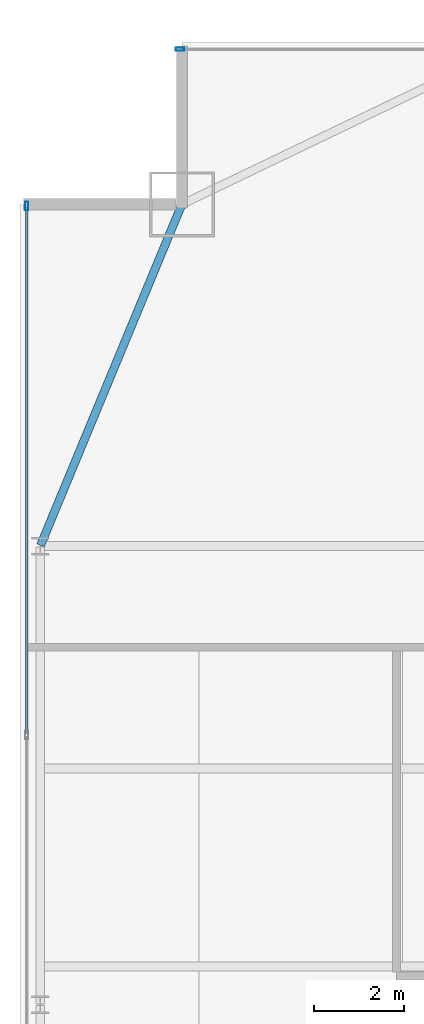
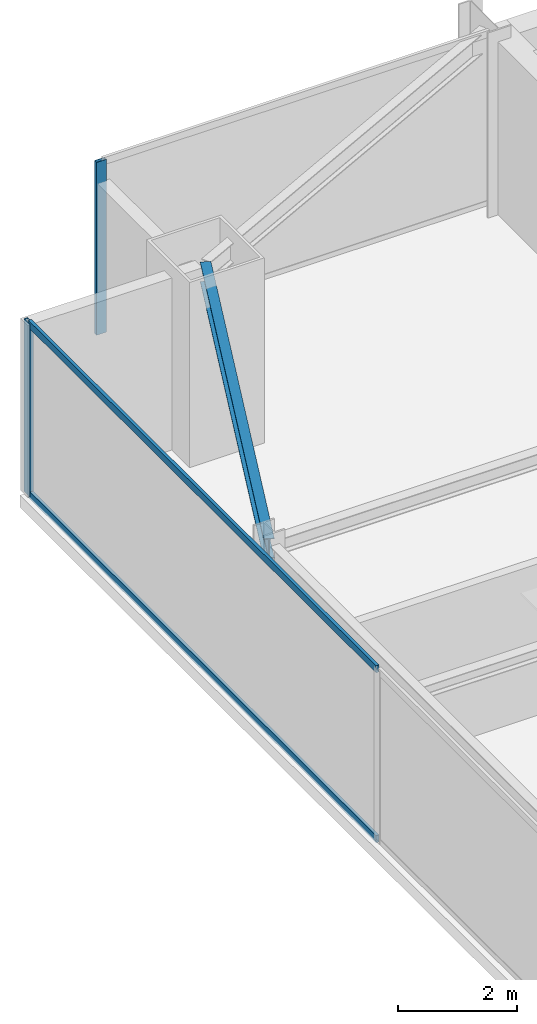
# One storey, part 21 of 30: 4 members, 1 beam, 2 elements without a shape of their own.
"""IFC4 building model written with IfcOpenShell, lengths in metres."""

from ifc_helpers import new_model, si_unit, direction, frame, origin, origin_2d, place, context, subcontext, project, spatial, hollow_rectangle, i_section, extrude, source, transform, mapped, material, layer, layer_set, material_profile, profile_set, type_object, type_shapes, element, aggregate, save


model = new_model("IFC4")

# Units and contexts
model_context = context("Model", 3, precision=1e-05, world=origin(), true_north=direction((0.0, 1.0)))
body_context = subcontext(model_context, "Body", "Model", "MODEL_VIEW")
ifc_project = project(units=[si_unit("LENGTHUNIT", "METRE"), si_unit("AREAUNIT", "SQUARE_METRE"), si_unit("VOLUMEUNIT", "CUBIC_METRE"), si_unit("PLANEANGLEUNIT", "RADIAN"), si_unit("MASSUNIT", "GRAM", prefix="KILO")], contexts=[model_context])

# Site, building, storey
site_placement = place(None, origin())
site = spatial("IfcSite", under=ifc_project, at=site_placement, CompositionType="ELEMENT")
building_placement = place(site_placement, origin())
building = spatial("IfcBuilding", under=site, at=building_placement, Name="Varnel Quay Broadcast Tower", CompositionType="ELEMENT")
storey_placement = place(building_placement, frame((0.0, 0.0, 122.0)))
storey = spatial("IfcBuildingStorey", under=building, at=storey_placement, Name="L29", CompositionType="ELEMENT", Elevation=122.0)

# Beam
ifc_material_1 = material(Name="Structural Steel CSA G40.21 350W", Category="steel")
ifc_material_profile_1 = material_profile(ifc_material_1, i_section(OverallWidth=0.180908203125, OverallDepth=0.4169921875, WebThickness=0.010986328125, FlangeThickness=0.018310546875, FilletRadius=0.011962890625, at=origin_2d()), Name="W410X85")
ifc_profile_set_1 = profile_set([ifc_material_profile_1], Name="Structural Steel CSA G40.21 350W")
beam_type = type_object("IfcBeamType", Name="Beam_W410X85", PredefinedType="SPANDREL", material=ifc_profile_set_1)
shared_shape_1 = source(origin(), body_context, "Body", "SweptSolid", [
    extrude(i_section(OverallWidth=0.180908203125, OverallDepth=0.4169921875, WebThickness=0.010986328125, FlangeThickness=0.018310546875, FilletRadius=0.011962890625, at=origin_2d()), origin(), (0.0, 0.0, 1.0), 8.186767578125),
])
type_shapes(beam_type, [shared_shape_1])
beam_placement = place(storey_placement, frame((4.957763671875, 35.618408203125, 3.341552734375), z_axis=(0.382874132092, 0.923800519038, 0.0), x_axis=(-0.923800519038, 0.382874132092, 0.0)))
element("IfcBeam", 1, at=beam_placement, inside=storey, type_object=beam_type, Name="L29 West Spandrel TC-W3-MC-NW", PredefinedType="SPANDREL", context=body_context, shape_type="MappedRepresentation", body=[
    mapped(shared_shape_1, transform((0.0, 0.0, 0.0), x_axis=(1.0, 0.0, 0.0), y_axis=(0.0, 1.0, 0.0), z_axis=(0.0, 0.0, 1.0), scale=1.0)),
])

# Curtain wall, member
ifc_material_2 = material(Name="Anodised Bronze Aluminium 6063-T6", Category="aluminium")
ifc_layer = layer(ifc_material_2, 0.18994140625, Name="Anodised Bronze Aluminium 6063-T6")
ifc_layer_set = layer_set([ifc_layer], Name="Anodised Bronze Aluminium 6063-T6")
curtain_wall_type = type_object("IfcCurtainWallType", Name="CW_LowerTower", PredefinedType="NOTDEFINED", material=ifc_layer_set)
curtain_wall_1_placement = place(storey_placement, origin())
curtain_wall_1 = element("IfcCurtainWall", 2, at=curtain_wall_1_placement, inside=storey, type_object=curtain_wall_type, Name="L29 West Unitised Curtain Wall", PredefinedType="NOTDEFINED")
ifc_material_profile_2 = material_profile(ifc_material_2, hollow_rectangle(XDim=0.070068359375, YDim=0.18994140625, WallThickness=0.00390625, at=origin_2d()), Name="ALU70X190X4")
ifc_profile_set_2 = profile_set([ifc_material_profile_2], Name="Anodised Bronze Aluminium 6063-T6")
member_type_1 = type_object("IfcMemberType", Name="Mull_CWS-02", PredefinedType="MULLION", material=ifc_profile_set_2)
shared_shape_2 = source(origin(), body_context, "Body", "SweptSolid", [
    extrude(hollow_rectangle(XDim=0.070068359375, YDim=0.18994140625, WallThickness=0.00390625, at=origin_2d()), origin(), (0.0, 0.0, 1.0), 3.550048828125),
])
type_shapes(member_type_1, [shared_shape_2])
member_1_placement = place(storey_placement, frame((4.64990234375, 43.1650390625, 0.0), z_axis=(0.0, 0.0, 1.0), x_axis=(-1.0, 0.0, 0.0)))
member_1 = element("IfcMember", 3, at=member_1_placement, type_object=member_type_1, Name="CWS-02 mullion 4", PredefinedType="MULLION", context=body_context, shape_type="MappedRepresentation", body=[
    mapped(shared_shape_2, transform((0.0, 0.0, 0.0), x_axis=(1.0, 0.0, 0.0), y_axis=(0.0, 1.0, 0.0), z_axis=(0.0, 0.0, 1.0), scale=1.0)),
])

curtain_wall_2_placement = place(storey_placement, origin())
curtain_wall_2 = element("IfcCurtainWall", 4, at=curtain_wall_2_placement, inside=storey, type_object=curtain_wall_type, Name="L29 NW Wing Curtain Wall", PredefinedType="NOTDEFINED")
member_2_placement = place(storey_placement, frame((8.054931640625, 46.64990234375, 0.0), z_axis=(0.0, 0.0, 1.0), x_axis=(0.0, 1.0, 0.0)))
member_2 = element("IfcMember", 5, at=member_2_placement, type_object=member_type_1, Name="CWS-02 mullion 1", PredefinedType="MULLION", context=body_context, shape_type="MappedRepresentation", body=[
    mapped(shared_shape_2, transform((0.0, 0.0, 0.0), x_axis=(1.0, 0.0, 0.0), y_axis=(0.0, 1.0, 0.0), z_axis=(0.0, 0.0, 1.0), scale=1.0)),
])
aggregate(curtain_wall_2, [member_2])

# Member
ifc_material_profile_3 = material_profile(ifc_material_2, hollow_rectangle(XDim=0.06005859375, YDim=0.14501953125, WallThickness=0.00341796875, at=origin_2d()), Name="ALU60X145X3.5")
ifc_profile_set_3 = profile_set([ifc_material_profile_3], Name="Anodised Bronze Aluminium 6063-T6")
member_type_2 = type_object("IfcMemberType", Name="Tran_CWS-02", PredefinedType="USERDEFINED", material=ifc_profile_set_3)
shared_shape_3 = source(origin(), body_context, "Body", "SweptSolid", [
    extrude(hollow_rectangle(XDim=0.06005859375, YDim=0.14501953125, WallThickness=0.00341796875, at=origin_2d()), origin(), (0.0, 0.0, 1.0), 11.69482421875),
])
type_shapes(member_type_2, [shared_shape_3])
member_3_placement = place(storey_placement, frame((4.64990234375, 31.43505859375, 0.030029296875), z_axis=(0.0, 1.0, 0.0), x_axis=(-1.0, 0.0, 0.0)))
member_3 = element("IfcMember", 6, at=member_3_placement, type_object=member_type_2, Name="CWS-02 transom 3.1", ObjectType="TRANSOM", PredefinedType="USERDEFINED", context=body_context, shape_type="MappedRepresentation", body=[
    mapped(shared_shape_3, transform((0.0, 0.0, 0.0), x_axis=(1.0, 0.0, 0.0), y_axis=(0.0, 1.0, 0.0), z_axis=(0.0, 0.0, 1.0), scale=1.0)),
])

member_4_placement = place(storey_placement, frame((4.64990234375, 31.43505859375, 3.52001953125), z_axis=(0.0, 1.0, 0.0), x_axis=(-1.0, 0.0, 0.0)))
member_4 = element("IfcMember", 7, at=member_4_placement, type_object=member_type_2, Name="CWS-02 transom 3.2", ObjectType="TRANSOM", PredefinedType="USERDEFINED", context=body_context, shape_type="MappedRepresentation", body=[
    mapped(shared_shape_3, transform((0.0, 0.0, 0.0), x_axis=(1.0, 0.0, 0.0), y_axis=(0.0, 1.0, 0.0), z_axis=(0.0, 0.0, 1.0), scale=1.0)),
])

aggregate(curtain_wall_1, [member_1, member_3, member_4])

save(model, "model.ifc")
